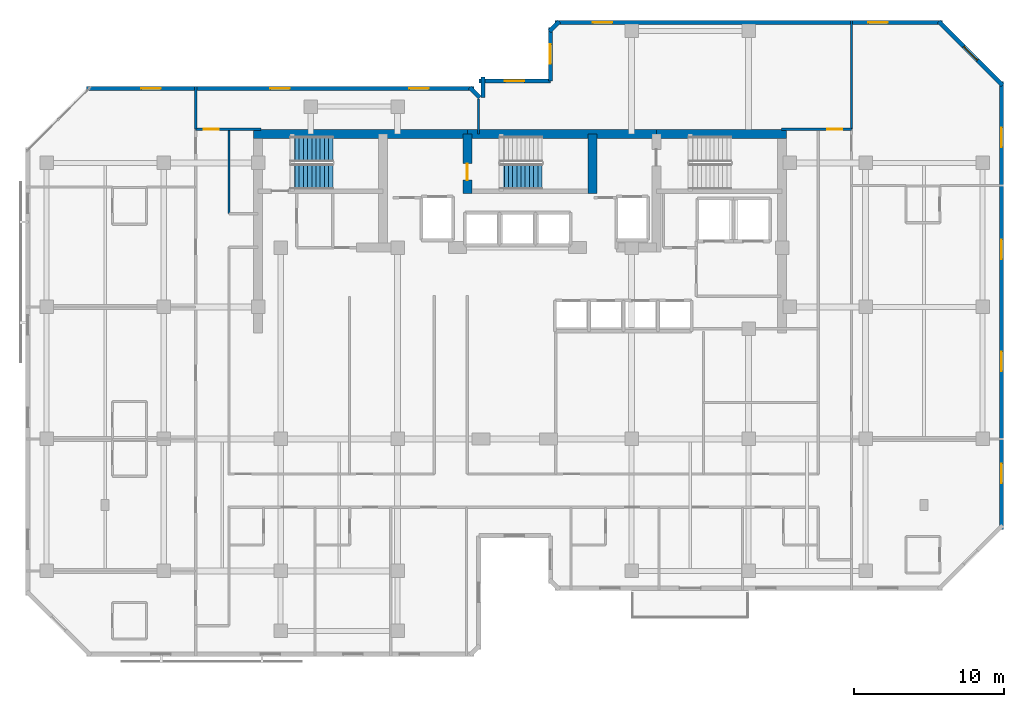
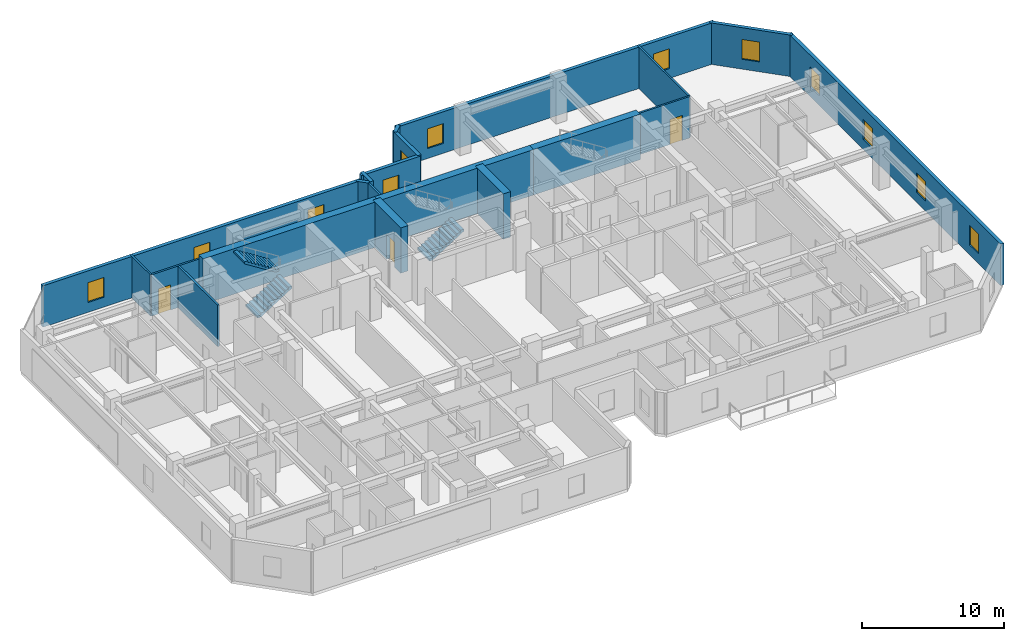
# One storey, part 8 of 11: 20 walls, 12 windows, 3 doors, 3 stair flights, 15 openings, 2 elements without a shape of their own.
"""IFC4 building model written with IfcOpenShell, lengths in metres."""

from ifc_helpers import new_model, si_unit, direction, frame, frame_2d, origin, place, context, subcontext, project, spatial, polyline, rectangle, outline, extrude, material, layer, layer_set, type_object, element, fill, aggregate, save


model = new_model("IFC4")

# Units and contexts
model_context = context("Model", 3, precision=1e-05, world=origin(), true_north=direction((0.0, 1.0)))
body_context = subcontext(model_context, "Body", "Model", "MODEL_VIEW")
ifc_project = project(units=[si_unit("LENGTHUNIT", "METRE"), si_unit("AREAUNIT", "SQUARE_METRE"), si_unit("VOLUMEUNIT", "CUBIC_METRE"), si_unit("PLANEANGLEUNIT", "RADIAN"), si_unit("MASSUNIT", "GRAM", prefix="KILO")], contexts=[model_context])

# Site, building, storey
site_placement = place(None, origin())
site = spatial("IfcSite", under=ifc_project, at=site_placement, CompositionType="ELEMENT")
building_placement = place(site_placement, origin())
building = spatial("IfcBuilding", under=site, at=building_placement, Name="Kestravale Grand Hotel", CompositionType="ELEMENT")
storey_placement = place(building_placement, frame((0.0, 0.0, 228.0)))
storey = spatial("IfcBuildingStorey", under=building, at=storey_placement, Name="L57", CompositionType="ELEMENT", Elevation=228.0)

# Walls
ifc_material_1 = material(Name="Concrete f'c 50 MPa", Category="concrete")
ifc_layer_1 = layer(ifc_material_1, 0.60009765625)
ifc_layer_set_1 = layer_set([ifc_layer_1], Name="EW-CORE-600")
wall_type_1 = type_object("IfcWallType", Name="EW-CORE-600", PredefinedType="SHEAR", material=ifc_layer_set_1)
wall_1_placement = place(storey_placement, frame((21.60009765625, 40.320068359375, 0.0), z_axis=(0.0, 0.0, 1.0), x_axis=(1.0, 0.0, 0.0)))
element("IfcWall", 1, at=wall_1_placement, inside=storey, type_object=wall_type_1, Name="L57 core shear wall N1", PredefinedType="SHEAR", context=body_context, shape_type="SweptSolid", body=[
    extrude(rectangle(XDim=14.25, YDim=0.60009765625, at=frame_2d((7.125, 0.0))), origin(), (0.0, 0.0, 1.0), 3.89990234375),
])
wall_2_placement = place(storey_placement, frame((35.85009765625, 40.320068359375, 0.0), z_axis=(0.0, 0.0, 1.0), x_axis=(1.0, 0.0, 0.0)))
element("IfcWall", 2, at=wall_2_placement, inside=storey, type_object=wall_type_1, Name="L57 core shear wall N2", PredefinedType="SHEAR", context=body_context, shape_type="SweptSolid", body=[
    extrude(rectangle(XDim=12.599853515625, YDim=0.60009765625, at=frame_2d((6.2998046875, 0.0))), origin(), (0.0, 0.0, 1.0), 3.89990234375),
])
wall_3_placement = place(storey_placement, frame((48.449951171875, 40.320068359375, 0.0), z_axis=(0.0, 0.0, 1.0), x_axis=(1.0, 0.0, 0.0)))
element("IfcWall", 3, at=wall_3_placement, inside=storey, type_object=wall_type_1, Name="L57 core shear wall N3", PredefinedType="SHEAR", context=body_context, shape_type="SweptSolid", body=[
    extrude(rectangle(XDim=8.670166015625, YDim=0.60009765625, at=frame_2d((4.3349609375, 0.0))), origin(), (0.0, 0.0, 1.0), 3.89990234375),
])

# Wall, opening, door
wall_4_placement = place(storey_placement, frame((35.85009765625, 36.3701171875, 0.0), z_axis=(0.0, 0.0, 1.0), x_axis=(0.0, 1.0, 0.0)))
wall_4 = element("IfcWall", 4, at=wall_4_placement, inside=storey, type_object=wall_type_1, Name="L57 core shear wall X2", PredefinedType="SHEAR", context=body_context, shape_type="SweptSolid", body=[
    extrude(rectangle(XDim=3.949951171875, YDim=0.60009765625, at=frame_2d((1.97509765625, 0.0))), origin(), (0.0, 0.0, 1.0), 3.89990234375),
])
opening_1_placement = place(wall_4_placement, frame((0.8798828125, 0.0, 0.0)))
opening_1 = element("IfcOpeningElement", 5, at=opening_1_placement, cuts=wall_4, Name="Opening D-ST-1100", PredefinedType="OPENING", context=body_context, shape_type="SweptSolid", body=[
    extrude(rectangle(XDim=1.10009765625, YDim=2.14990234375, at=frame_2d((0.550048828125, 1.074951171875))), frame((0.0, 0.31005859375, 0.0), z_axis=(0.0, -1.0, 0.0), x_axis=(1.0, 0.0, 0.0)), (0.0, 0.0, 1.0), 0.6201171875),
])
ifc_material_2 = material(Name="Galvanised 90-minute fire-rated steel stair door", Category="steel")
door_type_1 = type_object("IfcDoorType", Name="D-ST-1100", OperationType="NOTDEFINED", PredefinedType="DOOR", material=ifc_material_2)
door_1_placement = place(opening_1_placement, origin())
door_1 = element("IfcDoor", 6, at=door_1_placement, inside=storey, type_object=door_type_1, Name="L57 Stair ST-2 FSAE fire door", OperationType="SINGLE_SWING_RIGHT", OverallHeight=2.14990234375, OverallWidth=1.10009765625, PredefinedType="DOOR", context=body_context, shape_type="SweptSolid", body=[
    extrude(rectangle(XDim=1.10009765625, YDim=2.14990234375, at=frame_2d((0.550048828125, 1.074951171875))), frame((0.0, 0.02490234375, 0.0), z_axis=(0.0, -1.0, 0.0), x_axis=(1.0, 0.0, 0.0)), (0.0, 0.0, 1.0), 0.050048828125),
])
fill(opening_1, door_1)

# Wall
wall_5_placement = place(storey_placement, frame((44.179931640625, 36.3701171875, 0.0), z_axis=(0.0, 0.0, 1.0), x_axis=(0.0, 1.0, 0.0)))
element("IfcWall", 7, at=wall_5_placement, inside=storey, type_object=wall_type_1, Name="L57 core shear wall X3", PredefinedType="SHEAR", context=body_context, shape_type="SweptSolid", body=[
    extrude(rectangle(XDim=3.949951171875, YDim=0.60009765625, at=frame_2d((1.97509765625, 0.0))), origin(), (0.0, 0.0, 1.0), 3.89990234375),
])

# Wall, openings, windows
ifc_material_3 = material(Name="Precast concrete f'c 45 MPa", Category="concrete")
ifc_layer_2 = layer(ifc_material_3, 0.280029296875)
ifc_layer_set_2 = layer_set([ifc_layer_2], Name="EW-PREC-280")
wall_type_2 = type_object("IfcWallType", Name="EW-PREC-280", PredefinedType="SOLIDWALL", material=ifc_layer_set_2)
wall_6_placement = place(storey_placement, frame((71.4599609375, 13.9599609375, 0.0), z_axis=(0.0, 0.0, 1.0), x_axis=(0.0, 1.0, 0.0)))
wall_6 = element("IfcWall", 8, at=wall_6_placement, inside=storey, type_object=wall_type_2, Name="L57 fluted precast facade wall 9", PredefinedType="SOLIDWALL", context=body_context, shape_type="SweptSolid", body=[
    extrude(rectangle(XDim=29.880126953125, YDim=0.280029296875, at=frame_2d((14.93994140625, 0.0))), origin(), (0.0, 0.0, 1.0), 3.56005859375),
])
opening_2_placement = place(wall_6_placement, frame((3.0849609375, 0.0, 0.85009765625)))
opening_2 = element("IfcOpeningElement", 9, at=opening_2_placement, cuts=wall_6, Name="Opening W-GUEST-1300", PredefinedType="OPENING", context=body_context, shape_type="SweptSolid", body=[
    extrude(rectangle(XDim=1.300048828125, YDim=1.699951171875, at=frame_2d((0.64990234375, 0.85009765625))), frame((0.0, 0.14990234375, 0.0), z_axis=(0.0, -1.0, 0.0), x_axis=(1.0, 0.0, 0.0)), (0.0, 0.0, 1.0), 0.300048828125),
])
opening_3_placement = place(wall_6_placement, frame((10.554931640625, 0.0, 0.85009765625)))
opening_3 = element("IfcOpeningElement", 10, at=opening_3_placement, cuts=wall_6, Name="Opening W-GUEST-1300", PredefinedType="OPENING", context=body_context, shape_type="SweptSolid", body=[
    extrude(rectangle(XDim=1.300048828125, YDim=1.699951171875, at=frame_2d((0.64990234375, 0.85009765625))), frame((0.0, 0.14990234375, 0.0), z_axis=(0.0, -1.0, 0.0), x_axis=(1.0, 0.0, 0.0)), (0.0, 0.0, 1.0), 0.300048828125),
])
opening_4_placement = place(wall_6_placement, frame((18.02490234375, 0.0, 0.85009765625)))
opening_4 = element("IfcOpeningElement", 11, at=opening_4_placement, cuts=wall_6, Name="Opening W-GUEST-1300", PredefinedType="OPENING", context=body_context, shape_type="SweptSolid", body=[
    extrude(rectangle(XDim=1.300048828125, YDim=1.699951171875, at=frame_2d((0.64990234375, 0.85009765625))), frame((0.0, 0.14990234375, 0.0), z_axis=(0.0, -1.0, 0.0), x_axis=(1.0, 0.0, 0.0)), (0.0, 0.0, 1.0), 0.300048828125),
])
opening_5_placement = place(wall_6_placement, frame((25.4951171875, 0.0, 0.85009765625)))
opening_5 = element("IfcOpeningElement", 12, at=opening_5_placement, cuts=wall_6, Name="Opening W-GUEST-1300", PredefinedType="OPENING", context=body_context, shape_type="SweptSolid", body=[
    extrude(rectangle(XDim=1.300048828125, YDim=1.699951171875, at=frame_2d((0.64990234375, 0.85009765625))), frame((0.0, 0.14990234375, 0.0), z_axis=(0.0, -1.0, 0.0), x_axis=(1.0, 0.0, 0.0)), (0.0, 0.0, 1.0), 0.300048828125),
])
ifc_material_4 = material(Name="Insulated low-E double glazing in aluminium frame", Category="aluminium")
window_type = type_object("IfcWindowType", Name="W-GUEST-1300", PartitioningType="SINGLE_PANEL", PredefinedType="WINDOW", material=ifc_material_4)
window_1_placement = place(opening_2_placement, origin())
window_1 = element("IfcWindow", 13, at=window_1_placement, inside=storey, type_object=window_type, Name="L57 exterior window 9.1", OverallHeight=1.699951171875, OverallWidth=1.300048828125, PartitioningType="SINGLE_PANEL", PredefinedType="WINDOW", context=body_context, shape_type="SweptSolid", body=[
    extrude(rectangle(XDim=1.300048828125, YDim=1.699951171875, at=frame_2d((0.64990234375, 0.85009765625))), frame((0.0, 0.030029296875, 0.0), z_axis=(0.0, -1.0, 0.0), x_axis=(1.0, 0.0, 0.0)), (0.0, 0.0, 1.0), 0.06005859375),
])
fill(opening_2, window_1)
window_2_placement = place(opening_3_placement, origin())
window_2 = element("IfcWindow", 14, at=window_2_placement, inside=storey, type_object=window_type, Name="L57 exterior window 9.2", OverallHeight=1.699951171875, OverallWidth=1.300048828125, PartitioningType="SINGLE_PANEL", PredefinedType="WINDOW", context=body_context, shape_type="SweptSolid", body=[
    extrude(rectangle(XDim=1.300048828125, YDim=1.699951171875, at=frame_2d((0.64990234375, 0.85009765625))), frame((0.0, 0.030029296875, 0.0), z_axis=(0.0, -1.0, 0.0), x_axis=(1.0, 0.0, 0.0)), (0.0, 0.0, 1.0), 0.06005859375),
])
fill(opening_3, window_2)
window_3_placement = place(opening_4_placement, origin())
window_3 = element("IfcWindow", 15, at=window_3_placement, inside=storey, type_object=window_type, Name="L57 exterior window 9.3", OverallHeight=1.699951171875, OverallWidth=1.300048828125, PartitioningType="SINGLE_PANEL", PredefinedType="WINDOW", context=body_context, shape_type="SweptSolid", body=[
    extrude(rectangle(XDim=1.300048828125, YDim=1.699951171875, at=frame_2d((0.64990234375, 0.85009765625))), frame((0.0, 0.030029296875, 0.0), z_axis=(0.0, -1.0, 0.0), x_axis=(1.0, 0.0, 0.0)), (0.0, 0.0, 1.0), 0.06005859375),
])
fill(opening_4, window_3)
window_4_placement = place(opening_5_placement, origin())
window_4 = element("IfcWindow", 16, at=window_4_placement, inside=storey, type_object=window_type, Name="L57 exterior window 9.4", OverallHeight=1.699951171875, OverallWidth=1.300048828125, PartitioningType="SINGLE_PANEL", PredefinedType="WINDOW", context=body_context, shape_type="SweptSolid", body=[
    extrude(rectangle(XDim=1.300048828125, YDim=1.699951171875, at=frame_2d((0.64990234375, 0.85009765625))), frame((0.0, 0.030029296875, 0.0), z_axis=(0.0, -1.0, 0.0), x_axis=(1.0, 0.0, 0.0)), (0.0, 0.0, 1.0), 0.06005859375),
])
fill(opening_5, window_4)

# Wall, opening, window
wall_7_placement = place(storey_placement, frame((71.529296875, 43.57275390625, 0.0), z_axis=(0.0, 0.0, 1.0), x_axis=(-0.707106781187, 0.707106781187, 0.0)))
wall_7 = element("IfcWall", 17, at=wall_7_placement, inside=storey, type_object=wall_type_2, Name="L57 fluted precast facade wall 10", PredefinedType="SOLIDWALL", context=body_context, shape_type="SweptSolid", body=[
    extrude(rectangle(XDim=6.019775390625, YDim=0.280029296875, at=frame_2d((3.009765625, 0.0))), origin(), (0.0, 0.0, 1.0), 3.56005859375),
])
opening_6_placement = place(wall_7_placement, frame((2.35986328125, 0.0, 0.85009765625)))
opening_6 = element("IfcOpeningElement", 18, at=opening_6_placement, cuts=wall_7, Name="Opening W-GUEST-1300", PredefinedType="OPENING", context=body_context, shape_type="SweptSolid", body=[
    extrude(rectangle(XDim=1.300048828125, YDim=1.699951171875, at=frame_2d((0.64990234375, 0.85009765625))), frame((0.0, 0.14990234375, 0.0), z_axis=(0.0, -1.0, 0.0), x_axis=(1.0, 0.0, 0.0)), (0.0, 0.0, 1.0), 0.300048828125),
])
window_5_placement = place(opening_6_placement, origin())
window_5 = element("IfcWindow", 19, at=window_5_placement, inside=storey, type_object=window_type, Name="L57 exterior window 10.1", OverallHeight=1.699951171875, OverallWidth=1.300048828125, PartitioningType="SINGLE_PANEL", PredefinedType="WINDOW", context=body_context, shape_type="SweptSolid", body=[
    extrude(rectangle(XDim=1.300048828125, YDim=1.699951171875, at=frame_2d((0.64990234375, 0.85009765625))), frame((0.0, 0.030029296875, 0.0), z_axis=(0.0, -1.0, 0.0), x_axis=(1.0, 0.0, 0.0)), (0.0, 0.0, 1.0), 0.06005859375),
])
fill(opening_6, window_5)

# Wall, openings, windows
wall_8_placement = place(storey_placement, frame((67.5400390625, 47.760009765625, 0.0), z_axis=(0.0, 0.0, 1.0), x_axis=(-1.0, 0.0, 0.0)))
wall_8 = element("IfcWall", 20, at=wall_8_placement, inside=storey, type_object=wall_type_2, Name="L57 fluted precast facade wall 11", PredefinedType="SOLIDWALL", context=body_context, shape_type="SweptSolid", body=[
    extrude(rectangle(XDim=25.830078125, YDim=0.280029296875, at=frame_2d((12.9150390625, 0.0))), origin(), (0.0, 0.0, 1.0), 3.56005859375),
])
opening_7_placement = place(wall_8_placement, frame((3.655029296875, 0.0, 0.85009765625)))
opening_7 = element("IfcOpeningElement", 21, at=opening_7_placement, cuts=wall_8, Name="Opening W-GUEST-1300", PredefinedType="OPENING", context=body_context, shape_type="SweptSolid", body=[
    extrude(rectangle(XDim=1.300048828125, YDim=1.699951171875, at=frame_2d((0.64990234375, 0.85009765625))), frame((0.0, 0.14990234375, 0.0), z_axis=(0.0, -1.0, 0.0), x_axis=(1.0, 0.0, 0.0)), (0.0, 0.0, 1.0), 0.300048828125),
])
opening_8_placement = place(wall_8_placement, frame((22.02490234375, 0.0, 0.85009765625)))
opening_8 = element("IfcOpeningElement", 22, at=opening_8_placement, cuts=wall_8, Name="Opening W-GUEST-1300", PredefinedType="OPENING", context=body_context, shape_type="SweptSolid", body=[
    extrude(rectangle(XDim=1.300048828125, YDim=1.699951171875, at=frame_2d((0.64990234375, 0.85009765625))), frame((0.0, 0.14990234375, 0.0), z_axis=(0.0, -1.0, 0.0), x_axis=(1.0, 0.0, 0.0)), (0.0, 0.0, 1.0), 0.300048828125),
])
window_6_placement = place(opening_7_placement, origin())
window_6 = element("IfcWindow", 23, at=window_6_placement, inside=storey, type_object=window_type, Name="L57 exterior window 11.1", OverallHeight=1.699951171875, OverallWidth=1.300048828125, PartitioningType="SINGLE_PANEL", PredefinedType="WINDOW", context=body_context, shape_type="SweptSolid", body=[
    extrude(rectangle(XDim=1.300048828125, YDim=1.699951171875, at=frame_2d((0.64990234375, 0.85009765625))), frame((0.0, 0.030029296875, 0.0), z_axis=(0.0, -1.0, 0.0), x_axis=(1.0, 0.0, 0.0)), (0.0, 0.0, 1.0), 0.06005859375),
])
fill(opening_7, window_6)
window_7_placement = place(opening_8_placement, origin())
window_7 = element("IfcWindow", 24, at=window_7_placement, inside=storey, type_object=window_type, Name="L57 exterior window 11.2", OverallHeight=1.699951171875, OverallWidth=1.300048828125, PartitioningType="SINGLE_PANEL", PredefinedType="WINDOW", context=body_context, shape_type="SweptSolid", body=[
    extrude(rectangle(XDim=1.300048828125, YDim=1.699951171875, at=frame_2d((0.64990234375, 0.85009765625))), frame((0.0, 0.030029296875, 0.0), z_axis=(0.0, -1.0, 0.0), x_axis=(1.0, 0.0, 0.0)), (0.0, 0.0, 1.0), 0.06005859375),
])
fill(opening_8, window_7)

# Wall
wall_9_placement = place(storey_placement, frame((41.977294921875, 47.829345703125, 0.0), z_axis=(0.0, 0.0, 1.0), x_axis=(-0.706975312048, -0.707238225886, 0.0)))
element("IfcWall", 25, at=wall_9_placement, inside=storey, type_object=wall_type_2, Name="L57 fluted precast facade wall 12", PredefinedType="SOLIDWALL", context=body_context, shape_type="SweptSolid", body=[
    extrude(rectangle(XDim=0.9287109375, YDim=0.280029296875, at=frame_2d((0.46435546875, 0.0))), origin(), (0.0, 0.0, 1.0), 3.56005859375),
])

# Wall, opening, window
wall_10_placement = place(storey_placement, frame((41.389892578125, 47.43994140625, 0.0), z_axis=(0.0, 0.0, 1.0), x_axis=(0.0, -1.0, 0.0)))
wall_10 = element("IfcWall", 26, at=wall_10_placement, inside=storey, type_object=wall_type_2, Name="L57 fluted precast facade wall 13", PredefinedType="SOLIDWALL", context=body_context, shape_type="SweptSolid", body=[
    extrude(rectangle(XDim=3.579833984375, YDim=0.280029296875, at=frame_2d((1.7900390625, 0.0))), origin(), (0.0, 0.0, 1.0), 3.56005859375),
])
opening_9_placement = place(wall_10_placement, frame((1.139892578125, 0.0, 0.85009765625)))
opening_9 = element("IfcOpeningElement", 27, at=opening_9_placement, cuts=wall_10, Name="Opening W-GUEST-1300", PredefinedType="OPENING", context=body_context, shape_type="SweptSolid", body=[
    extrude(rectangle(XDim=1.300048828125, YDim=1.699951171875, at=frame_2d((0.64990234375, 0.85009765625))), frame((0.0, 0.14990234375, 0.0), z_axis=(0.0, -1.0, 0.0), x_axis=(1.0, 0.0, 0.0)), (0.0, 0.0, 1.0), 0.300048828125),
])
window_8_placement = place(opening_9_placement, origin())
window_8 = element("IfcWindow", 28, at=window_8_placement, inside=storey, type_object=window_type, Name="L57 exterior window 13.1", OverallHeight=1.699951171875, OverallWidth=1.300048828125, PartitioningType="SINGLE_PANEL", PredefinedType="WINDOW", context=body_context, shape_type="SweptSolid", body=[
    extrude(rectangle(XDim=1.300048828125, YDim=1.699951171875, at=frame_2d((0.64990234375, 0.85009765625))), frame((0.0, 0.030029296875, 0.0), z_axis=(0.0, -1.0, 0.0), x_axis=(1.0, 0.0, 0.0)), (0.0, 0.0, 1.0), 0.06005859375),
])
fill(opening_9, window_8)

wall_11_placement = place(storey_placement, frame((41.389892578125, 43.860107421875, 0.0), z_axis=(0.0, 0.0, 1.0), x_axis=(-1.0, 0.0, 0.0)))
wall_11 = element("IfcWall", 29, at=wall_11_placement, inside=storey, type_object=wall_type_2, Name="L57 fluted precast facade wall 14", PredefinedType="SOLIDWALL", context=body_context, shape_type="SweptSolid", body=[
    extrude(rectangle(XDim=4.77978515625, YDim=0.280029296875, at=frame_2d((2.389892578125, 0.0))), origin(), (0.0, 0.0, 1.0), 3.56005859375),
])
opening_10_placement = place(wall_11_placement, frame((1.739990234375, 0.0, 0.85009765625)))
opening_10 = element("IfcOpeningElement", 30, at=opening_10_placement, cuts=wall_11, Name="Opening W-GUEST-1300", PredefinedType="OPENING", context=body_context, shape_type="SweptSolid", body=[
    extrude(rectangle(XDim=1.300048828125, YDim=1.699951171875, at=frame_2d((0.64990234375, 0.85009765625))), frame((0.0, 0.14990234375, 0.0), z_axis=(0.0, -1.0, 0.0), x_axis=(1.0, 0.0, 0.0)), (0.0, 0.0, 1.0), 0.300048828125),
])
window_9_placement = place(opening_10_placement, origin())
window_9 = element("IfcWindow", 31, at=window_9_placement, inside=storey, type_object=window_type, Name="L57 exterior window 14.1", OverallHeight=1.699951171875, OverallWidth=1.300048828125, PartitioningType="SINGLE_PANEL", PredefinedType="WINDOW", context=body_context, shape_type="SweptSolid", body=[
    extrude(rectangle(XDim=1.300048828125, YDim=1.699951171875, at=frame_2d((0.64990234375, 0.85009765625))), frame((0.0, 0.030029296875, 0.0), z_axis=(0.0, -1.0, 0.0), x_axis=(1.0, 0.0, 0.0)), (0.0, 0.0, 1.0), 0.06005859375),
])
fill(opening_10, window_9)

# Walls
wall_12_placement = place(storey_placement, frame((36.889892578125, 44.139892578125, 0.0), z_axis=(0.0, 0.0, 1.0), x_axis=(0.0, -1.0, 0.0)))
element("IfcWall", 32, at=wall_12_placement, inside=storey, type_object=wall_type_2, Name="L57 fluted precast facade wall 15", PredefinedType="SOLIDWALL", context=body_context, shape_type="SweptSolid", body=[
    extrude(rectangle(XDim=1.3798828125, YDim=0.280029296875, at=frame_2d((0.68994140625, 0.0))), origin(), (0.0, 0.0, 1.0), 3.56005859375),
])
wall_13_placement = place(storey_placement, frame((36.67919921875, 42.772705078125, 0.0), z_axis=(0.0, 0.0, 1.0), x_axis=(-0.707106781187, 0.707106781187, 0.0)))
element("IfcWall", 33, at=wall_13_placement, inside=storey, type_object=wall_type_2, Name="L57 fluted precast facade wall 16", PredefinedType="SOLIDWALL", context=body_context, shape_type="SweptSolid", body=[
    extrude(rectangle(XDim=0.928466796875, YDim=0.280029296875, at=frame_2d((0.46435546875, 0.0))), origin(), (0.0, 0.0, 1.0), 3.56005859375),
])

# Wall, openings, windows
wall_14_placement = place(storey_placement, frame((36.2900390625, 43.360107421875, 0.0), z_axis=(0.0, 0.0, 1.0), x_axis=(-1.0, 0.0, 0.0)))
wall_14 = element("IfcWall", 34, at=wall_14_placement, inside=storey, type_object=wall_type_2, Name="L57 fluted precast facade wall 17", PredefinedType="SOLIDWALL", context=body_context, shape_type="SweptSolid", body=[
    extrude(rectangle(XDim=25.830078125, YDim=0.280029296875, at=frame_2d((12.9150390625, 0.0))), origin(), (0.0, 0.0, 1.0), 3.56005859375),
])
opening_11_placement = place(wall_14_placement, frame((3.0048828125, 0.0, 0.85009765625)))
opening_11 = element("IfcOpeningElement", 35, at=opening_11_placement, cuts=wall_14, Name="Opening W-GUEST-1300", PredefinedType="OPENING", context=body_context, shape_type="SweptSolid", body=[
    extrude(rectangle(XDim=1.300048828125, YDim=1.699951171875, at=frame_2d((0.64990234375, 0.85009765625))), frame((0.0, 0.14990234375, 0.0), z_axis=(0.0, -1.0, 0.0), x_axis=(1.0, 0.0, 0.0)), (0.0, 0.0, 1.0), 0.300048828125),
])
opening_12_placement = place(wall_14_placement, frame((12.264892578125, 0.0, 0.85009765625)))
opening_12 = element("IfcOpeningElement", 36, at=opening_12_placement, cuts=wall_14, Name="Opening W-GUEST-1300", PredefinedType="OPENING", context=body_context, shape_type="SweptSolid", body=[
    extrude(rectangle(XDim=1.300048828125, YDim=1.699951171875, at=frame_2d((0.64990234375, 0.85009765625))), frame((0.0, 0.14990234375, 0.0), z_axis=(0.0, -1.0, 0.0), x_axis=(1.0, 0.0, 0.0)), (0.0, 0.0, 1.0), 0.300048828125),
])
opening_13_placement = place(wall_14_placement, frame((20.875, 0.0, 0.85009765625)))
opening_13 = element("IfcOpeningElement", 37, at=opening_13_placement, cuts=wall_14, Name="Opening W-GUEST-1300", PredefinedType="OPENING", context=body_context, shape_type="SweptSolid", body=[
    extrude(rectangle(XDim=1.300048828125, YDim=1.699951171875, at=frame_2d((0.64990234375, 0.85009765625))), frame((0.0, 0.14990234375, 0.0), z_axis=(0.0, -1.0, 0.0), x_axis=(1.0, 0.0, 0.0)), (0.0, 0.0, 1.0), 0.300048828125),
])
window_10_placement = place(opening_11_placement, origin())
window_10 = element("IfcWindow", 38, at=window_10_placement, inside=storey, type_object=window_type, Name="L57 exterior window 17.1", OverallHeight=1.699951171875, OverallWidth=1.300048828125, PartitioningType="SINGLE_PANEL", PredefinedType="WINDOW", context=body_context, shape_type="SweptSolid", body=[
    extrude(rectangle(XDim=1.300048828125, YDim=1.699951171875, at=frame_2d((0.64990234375, 0.85009765625))), frame((0.0, 0.030029296875, 0.0), z_axis=(0.0, -1.0, 0.0), x_axis=(1.0, 0.0, 0.0)), (0.0, 0.0, 1.0), 0.06005859375),
])
fill(opening_11, window_10)
window_11_placement = place(opening_12_placement, origin())
window_11 = element("IfcWindow", 39, at=window_11_placement, inside=storey, type_object=window_type, Name="L57 exterior window 17.2", OverallHeight=1.699951171875, OverallWidth=1.300048828125, PartitioningType="SINGLE_PANEL", PredefinedType="WINDOW", context=body_context, shape_type="SweptSolid", body=[
    extrude(rectangle(XDim=1.300048828125, YDim=1.699951171875, at=frame_2d((0.64990234375, 0.85009765625))), frame((0.0, 0.030029296875, 0.0), z_axis=(0.0, -1.0, 0.0), x_axis=(1.0, 0.0, 0.0)), (0.0, 0.0, 1.0), 0.06005859375),
])
fill(opening_12, window_11)
window_12_placement = place(opening_13_placement, origin())
window_12 = element("IfcWindow", 40, at=window_12_placement, inside=storey, type_object=window_type, Name="L57 exterior window 17.3", OverallHeight=1.699951171875, OverallWidth=1.300048828125, PartitioningType="SINGLE_PANEL", PredefinedType="WINDOW", context=body_context, shape_type="SweptSolid", body=[
    extrude(rectangle(XDim=1.300048828125, YDim=1.699951171875, at=frame_2d((0.64990234375, 0.85009765625))), frame((0.0, 0.030029296875, 0.0), z_axis=(0.0, -1.0, 0.0), x_axis=(1.0, 0.0, 0.0)), (0.0, 0.0, 1.0), 0.06005859375),
])
fill(opening_13, window_12)

# Wall
ifc_material_5 = material(Name="Acoustic fire-rated gypsum board partition", Category="other")
ifc_layer_3 = layer(ifc_material_5, 0.159912109375)
ifc_layer_set_3 = layer_set([ifc_layer_3], Name="IW-CORR-160")
wall_type_3 = type_object("IfcWallType", Name="IW-CORR-160", PredefinedType="PARTITIONING", material=ifc_layer_set_3)
wall_15_placement = place(storey_placement, frame((19.9599609375, 35.02001953125, 0.0), z_axis=(0.0, 0.0, 1.0), x_axis=(0.0, 1.0, 0.0)))
element("IfcWall", 41, at=wall_15_placement, inside=storey, type_object=wall_type_3, Name="W-L57-SW-EN", PredefinedType="PARTITIONING", context=body_context, shape_type="SweptSolid", body=[
    extrude(rectangle(XDim=5.6298828125, YDim=0.159912109375, at=frame_2d((2.81494140625, 0.0))), origin(), (0.0, 0.0, 1.0), 3.56005859375),
])

# Wall, opening, door
ifc_material_6 = material(Name="Double-stud STC 52 acoustic demising partition", Category="other")
ifc_layer_4 = layer(ifc_material_6, 0.14990234375)
ifc_layer_set_4 = layer_set([ifc_layer_4], Name="IW-UNIT-150")
wall_type_4 = type_object("IfcWallType", Name="IW-UNIT-150", PredefinedType="PARTITIONING", material=ifc_layer_set_4)
wall_16_placement = place(storey_placement, frame((17.739990234375, 40.64990234375, 0.0), z_axis=(0.0, 0.0, 1.0), x_axis=(1.0, 0.0, 0.0)))
wall_16 = element("IfcWall", 42, at=wall_16_placement, inside=storey, type_object=wall_type_4, Name="W-L57-SW-N", PredefinedType="PARTITIONING", context=body_context, shape_type="SweptSolid", body=[
    extrude(rectangle(XDim=4.360107421875, YDim=0.14990234375, at=frame_2d((2.18017578125, 0.0))), origin(), (0.0, 0.0, 1.0), 3.56005859375),
])
opening_14_placement = place(wall_16_placement, frame((0.550048828125, 0.0, 0.0)))
opening_14 = element("IfcOpeningElement", 43, at=opening_14_placement, cuts=wall_16, Name="Opening D-GUEST-1000", PredefinedType="OPENING", context=body_context, shape_type="SweptSolid", body=[
    extrude(rectangle(XDim=1.0, YDim=2.14990234375, at=frame_2d((0.5, 1.074951171875))), frame((0.0, 0.0849609375, 0.0), z_axis=(0.0, -1.0, 0.0), x_axis=(1.0, 0.0, 0.0)), (0.0, 0.0, 1.0), 0.169921875),
])
ifc_material_7 = material(Name="Accessible walnut veneer hotel entrance fire door", Category="wood")
door_type_2 = type_object("IfcDoorType", Name="D-GUEST-1000", OperationType="NOTDEFINED", PredefinedType="DOOR", material=ifc_material_7)
door_2_placement = place(opening_14_placement, origin())
door_2 = element("IfcDoor", 44, at=door_2_placement, inside=storey, type_object=door_type_2, Name="L57 NW Gallery Door", OperationType="SINGLE_SWING_RIGHT", OverallHeight=2.14990234375, OverallWidth=1.0, PredefinedType="DOOR", context=body_context, shape_type="SweptSolid", body=[
    extrude(rectangle(XDim=1.0, YDim=2.14990234375, at=frame_2d((0.5, 1.074951171875))), frame((0.0, 0.02490234375, 0.0), z_axis=(0.0, -1.0, 0.0), x_axis=(1.0, 0.0, 0.0)), (0.0, 0.0, 1.0), 0.050048828125),
])
fill(opening_14, door_2)

wall_17_placement = place(storey_placement, frame((56.800048828125, 40.64990234375, 0.0), z_axis=(0.0, 0.0, 1.0), x_axis=(1.0, 0.0, 0.0)))
wall_17 = element("IfcWall", 45, at=wall_17_placement, inside=storey, type_object=wall_type_4, Name="W-L57-SE-N", PredefinedType="PARTITIONING", context=body_context, shape_type="SweptSolid", body=[
    extrude(rectangle(XDim=4.659912109375, YDim=0.14990234375, at=frame_2d((2.330078125, 0.0))), origin(), (0.0, 0.0, 1.0), 3.56005859375),
])
opening_15_placement = place(wall_17_placement, frame((3.050048828125, 0.0, 0.0)))
opening_15 = element("IfcOpeningElement", 46, at=opening_15_placement, cuts=wall_17, Name="Opening D-GUEST-1000", PredefinedType="OPENING", context=body_context, shape_type="SweptSolid", body=[
    extrude(rectangle(XDim=1.0, YDim=2.14990234375, at=frame_2d((0.5, 1.074951171875))), frame((0.0, 0.0849609375, 0.0), z_axis=(0.0, -1.0, 0.0), x_axis=(1.0, 0.0, 0.0)), (0.0, 0.0, 1.0), 0.169921875),
])
door_3_placement = place(opening_15_placement, origin())
door_3 = element("IfcDoor", 47, at=door_3_placement, inside=storey, type_object=door_type_2, Name="L57 NE Gallery Door", OperationType="SINGLE_SWING_LEFT", OverallHeight=2.14990234375, OverallWidth=1.0, PredefinedType="DOOR", context=body_context, shape_type="SweptSolid", body=[
    extrude(rectangle(XDim=1.0, YDim=2.14990234375, at=frame_2d((0.5, 1.074951171875))), frame((0.0, 0.02490234375, 0.0), z_axis=(0.0, -1.0, 0.0), x_axis=(1.0, 0.0, 0.0)), (0.0, 0.0, 1.0), 0.050048828125),
])
fill(opening_15, door_3)

# Walls
wall_18_placement = place(storey_placement, frame((17.739990234375, 40.64990234375, 0.0), z_axis=(0.0, 0.0, 1.0), x_axis=(0.0, 1.0, 0.0)))
element("IfcWall", 48, at=wall_18_placement, inside=storey, type_object=wall_type_4, Name="W-L57-NGW-W", PredefinedType="PARTITIONING", context=body_context, shape_type="SweptSolid", body=[
    extrude(rectangle(XDim=2.830078125, YDim=0.14990234375, at=frame_2d((1.4150390625, 0.0))), origin(), (0.0, 0.0, 1.0), 3.56005859375),
])
wall_19_placement = place(storey_placement, frame((36.60009765625, 40.320068359375, 0.0), z_axis=(0.0, 0.0, 1.0), x_axis=(0.0, 1.0, 0.0)))
element("IfcWall", 49, at=wall_19_placement, inside=storey, type_object=wall_type_4, Name="W-L57-NGM", PredefinedType="PARTITIONING", context=body_context, shape_type="SweptSolid", body=[
    extrude(rectangle(XDim=2.344970703125, YDim=0.14990234375, at=frame_2d((1.17236328125, 0.0))), origin(), (0.0, 0.0, 1.0), 3.56005859375),
])
wall_20_placement = place(storey_placement, frame((61.4599609375, 40.64990234375, 0.0), z_axis=(0.0, 0.0, 1.0), x_axis=(0.0, 1.0, 0.0)))
element("IfcWall", 50, at=wall_20_placement, inside=storey, type_object=wall_type_4, Name="W-L57-NGE-E", PredefinedType="PARTITIONING", context=body_context, shape_type="SweptSolid", body=[
    extrude(rectangle(XDim=7.22998046875, YDim=0.14990234375, at=frame_2d((3.614990234375, 0.0))), origin(), (0.0, 0.0, 1.0), 3.56005859375),
])

# Stair, stair flights
ifc_material_8 = material(Name="Concrete f'c 45 MPa", Category="concrete")
stair_type = type_object("IfcStairType", Name="ST-CORE-390", PredefinedType="HALF_TURN_STAIR", material=ifc_material_8)
stair_1_placement = place(storey_placement, origin())
stair_1 = element("IfcStair", 51, at=stair_1_placement, inside=storey, type_object=stair_type, Name="L57 ST-1", PredefinedType="HALF_TURN_STAIR")
ifc_material_9 = material(Name="Concrete f'c 45 MPa", Category="concrete")
stair_flight_type = type_object("IfcStairFlightType", Name="STF-CORE-390", PredefinedType="STRAIGHT", material=ifc_material_9)
stair_flight_1_placement = place(storey_placement, frame((24.080078125, 37.489990234375, 0.0), z_axis=(0.0, 0.0, 1.0), x_axis=(1.0, 0.0, 0.0)))
stair_flight_1 = element("IfcStairFlight", 52, at=stair_flight_1_placement, type_object=stair_flight_type, Name="ST-1 flight 1", NumberOfRisers=11, NumberOfTreads=10, PredefinedType="STRAIGHT", RiserHeight=0.177272727, TreadLength=0.28, context=body_context, shape_type="SweptSolid", body=[
    extrude(outline(polyline([(0.0, 0.0), (0.0, 0.17724609375), (0.280029296875, 0.17724609375), (0.280029296875, 0.3544921875), (0.56005859375, 0.3544921875), (0.56005859375, 0.53173828125), (0.840087890625, 0.53173828125), (0.840087890625, 0.708984375), (1.1201171875, 0.708984375), (1.1201171875, 0.886474609375), (1.39990234375, 0.886474609375), (1.39990234375, 1.063720703125), (1.679931640625, 1.063720703125), (1.679931640625, 1.240966796875), (1.9599609375, 1.240966796875), (1.9599609375, 1.418212890625), (2.239990234375, 1.418212890625), (2.239990234375, 1.595458984375), (2.52001953125, 1.595458984375), (2.52001953125, 1.772705078125), (2.800048828125, 1.772705078125), (2.800048828125, 1.949951171875), (2.800048828125, 1.59521484375), (0.2802734375, 0.0), (0.0, 0.0)])), frame((0.0, 0.83984375, 0.0), z_axis=(0.0, -1.0, 0.0), x_axis=(1.0, 0.0, 0.0)), (0.0, 0.0, 1.0), 1.679931640625),
])
stair_flight_2_placement = place(storey_placement, frame((26.8798828125, 39.320068359375, 1.949951171875), z_axis=(0.0, 0.0, 1.0), x_axis=(-1.0, 0.0, 0.0)))
stair_flight_2 = element("IfcStairFlight", 53, at=stair_flight_2_placement, type_object=stair_flight_type, Name="ST-1 flight 2", NumberOfRisers=11, NumberOfTreads=10, PredefinedType="STRAIGHT", RiserHeight=0.177272727, TreadLength=0.28, context=body_context, shape_type="SweptSolid", body=[
    extrude(outline(polyline([(0.0, 0.0), (0.0, 0.17724609375), (0.280029296875, 0.17724609375), (0.280029296875, 0.3544921875), (0.56005859375, 0.3544921875), (0.56005859375, 0.53173828125), (0.840087890625, 0.53173828125), (0.840087890625, 0.708984375), (1.1201171875, 0.708984375), (1.1201171875, 0.886474609375), (1.39990234375, 0.886474609375), (1.39990234375, 1.063720703125), (1.679931640625, 1.063720703125), (1.679931640625, 1.240966796875), (1.9599609375, 1.240966796875), (1.9599609375, 1.418212890625), (2.239990234375, 1.418212890625), (2.239990234375, 1.595458984375), (2.52001953125, 1.595458984375), (2.52001953125, 1.772705078125), (2.800048828125, 1.772705078125), (2.800048828125, 1.949951171875), (2.800048828125, 1.59521484375), (0.2802734375, 0.0), (0.0, 0.0)])), frame((0.0, 0.83984375, 0.0), z_axis=(0.0, -1.0, 0.0), x_axis=(1.0, 0.0, 0.0)), (0.0, 0.0, 1.0), 1.679931640625),
])
aggregate(stair_1, [stair_flight_1, stair_flight_2])

# Stair, stair flight
stair_2_placement = place(storey_placement, origin())
stair_2 = element("IfcStair", 54, at=stair_2_placement, inside=storey, type_object=stair_type, Name="L57 ST-2", PredefinedType="HALF_TURN_STAIR")
stair_flight_3_placement = place(storey_placement, frame((38.030029296875, 37.489990234375, 0.0), z_axis=(0.0, 0.0, 1.0), x_axis=(1.0, 0.0, 0.0)))
stair_flight_3 = element("IfcStairFlight", 55, at=stair_flight_3_placement, type_object=stair_flight_type, Name="ST-2 flight 1", NumberOfRisers=11, NumberOfTreads=10, PredefinedType="STRAIGHT", RiserHeight=0.177272727, TreadLength=0.28, context=body_context, shape_type="SweptSolid", body=[
    extrude(outline(polyline([(0.0, 0.0), (0.0, 0.17724609375), (0.280029296875, 0.17724609375), (0.280029296875, 0.3544921875), (0.56005859375, 0.3544921875), (0.56005859375, 0.53173828125), (0.840087890625, 0.53173828125), (0.840087890625, 0.708984375), (1.1201171875, 0.708984375), (1.1201171875, 0.886474609375), (1.39990234375, 0.886474609375), (1.39990234375, 1.063720703125), (1.679931640625, 1.063720703125), (1.679931640625, 1.240966796875), (1.9599609375, 1.240966796875), (1.9599609375, 1.418212890625), (2.239990234375, 1.418212890625), (2.239990234375, 1.595458984375), (2.52001953125, 1.595458984375), (2.52001953125, 1.772705078125), (2.800048828125, 1.772705078125), (2.800048828125, 1.949951171875), (2.800048828125, 1.59521484375), (0.2802734375, 0.0), (0.0, 0.0)])), frame((0.0, 0.83984375, 0.0), z_axis=(0.0, -1.0, 0.0), x_axis=(1.0, 0.0, 0.0)), (0.0, 0.0, 1.0), 1.679931640625),
])
aggregate(stair_2, [stair_flight_3])

save(model, "model.ifc")
